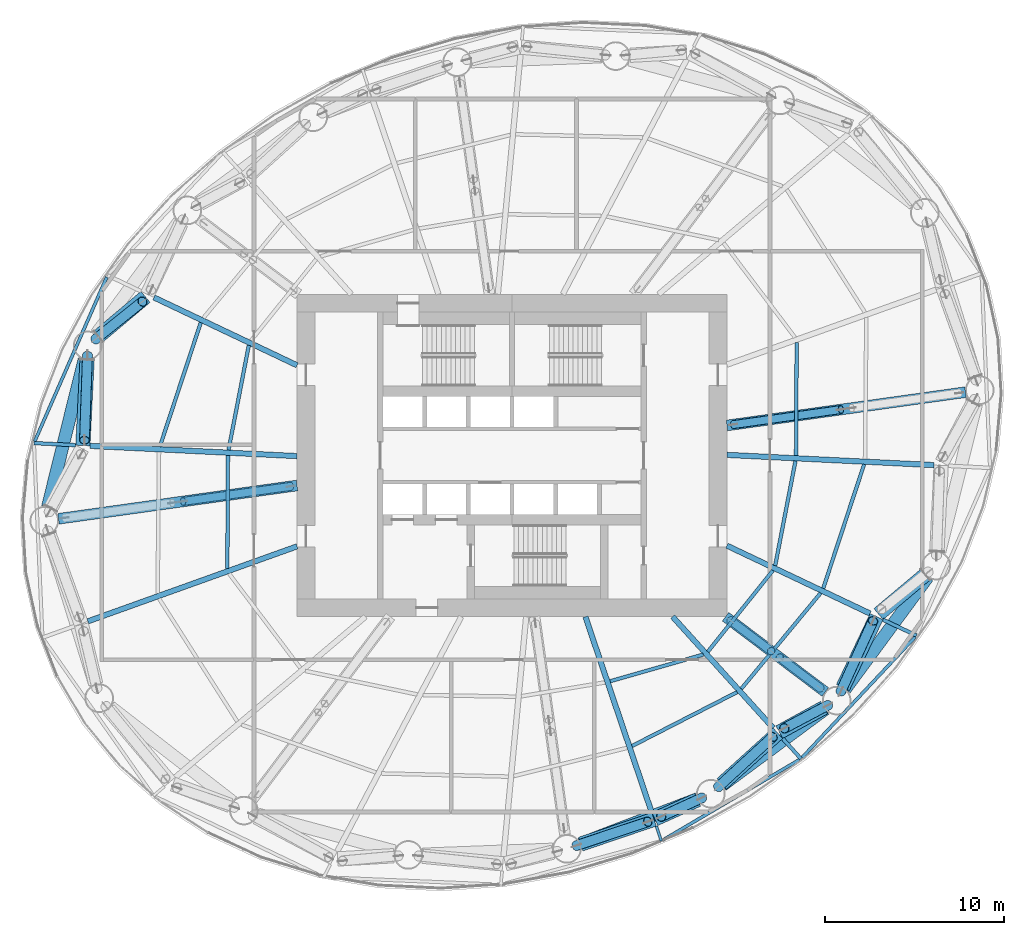
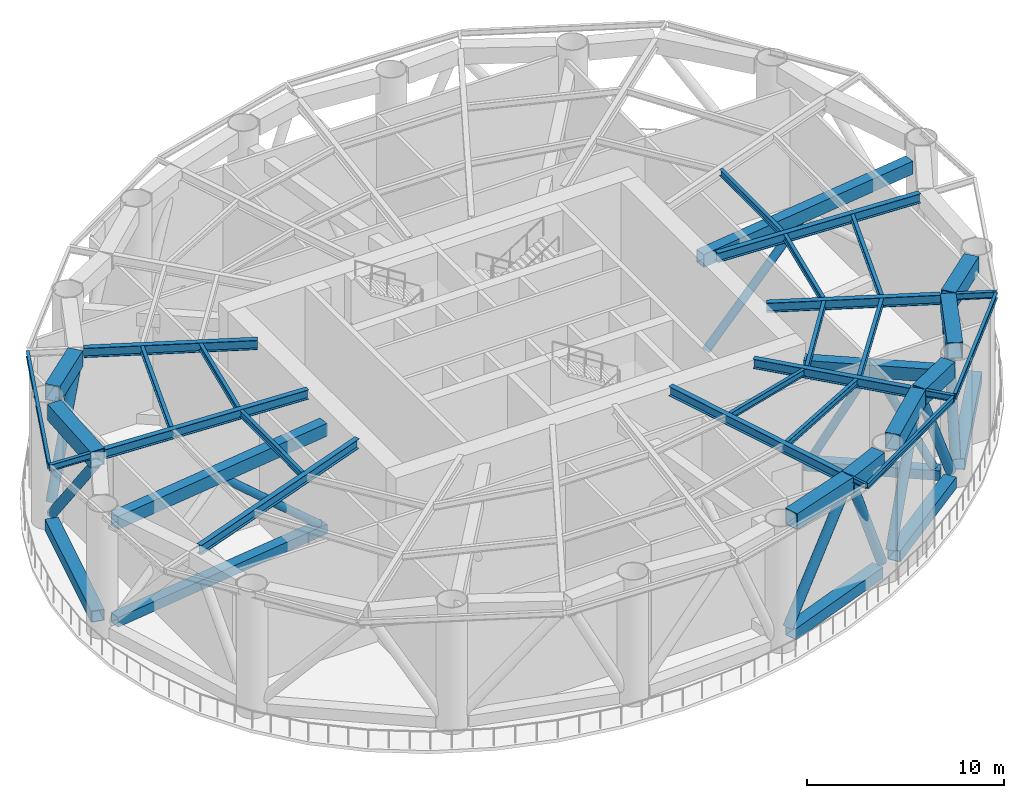
# One storey, part 2 of 15: 28 members, 24 beams.
"""IFC4 building model written with IfcOpenShell, lengths in metres."""

from ifc_helpers import new_model, si_unit, direction, frame, origin, origin_2d, place, context, subcontext, project, spatial, hollow_rectangle, hollow_circle, i_section, extrude, material, material_profile, profile_set, type_object, element, save


model = new_model("IFC4")

# Units and contexts
model_context = context("Model", 3, precision=1e-05, world=origin(), true_north=direction((0.0, 1.0)))
body_context = subcontext(model_context, "Body", "Model", "MODEL_VIEW")
ifc_project = project(units=[si_unit("LENGTHUNIT", "METRE"), si_unit("AREAUNIT", "SQUARE_METRE"), si_unit("VOLUMEUNIT", "CUBIC_METRE"), si_unit("PLANEANGLEUNIT", "RADIAN"), si_unit("MASSUNIT", "GRAM", prefix="KILO")], contexts=[model_context])

# Site, building, storey
site_placement = place(None, origin())
site = spatial("IfcSite", under=ifc_project, at=site_placement, CompositionType="ELEMENT")
building_placement = place(site_placement, origin())
building = spatial("IfcBuilding", under=site, at=building_placement, Name="Vermilion Reach Broadcast Tower", CompositionType="ELEMENT")
storey_placement = place(building_placement, frame((0.0, 0.0, 135.39990234375)))
storey = spatial("IfcBuildingStorey", under=building, at=storey_placement, Name="L32", CompositionType="ELEMENT", Elevation=135.39990234375)

# Members
ifc_material_1 = material(Name="Steel S460NL", Category="steel")
ifc_material_profile_1 = material_profile(ifc_material_1, hollow_rectangle(XDim=0.699951171875, YDim=0.699951171875, WallThickness=0.034912109375, at=origin_2d()), Name="S460NL BOX 700x700x35")
ifc_profile_set_1 = profile_set([ifc_material_profile_1], Name="Steel S460NL")
member_type_1 = type_object("IfcMemberType", Name="BT2-BC BOX 700x700x35", PredefinedType="CHORD", material=ifc_profile_set_1)
member_1_placement = place(storey_placement, frame((-29.871337890625, 5.369384765625, 0.35009765625), z_axis=(-0.240863809798, -0.970558924089, 0.0), x_axis=(0.970558924089, -0.240863809798, 0.0)))
element("IfcMember", 1, at=member_1_placement, inside=storey, type_object=member_type_1, Name="Belt truss bottom chord BT2-BC07", PredefinedType="CHORD", context=body_context, shape_type="SweptSolid", body=[
    extrude(hollow_rectangle(XDim=0.699951171875, YDim=0.699951171875, WallThickness=0.034912109375, at=origin_2d()), origin(), (0.0, 0.0, 1.0), 8.489013671875),
])
member_2_placement = place(storey_placement, frame((-2.186767578125, -21.669677734375, 0.35009765625), z_axis=(0.933939237212, 0.357431813353, 0.0), x_axis=(-0.357431813353, 0.933939237212, 0.0)))
element("IfcMember", 2, at=member_2_placement, inside=storey, type_object=member_type_1, Name="Belt truss bottom chord BT2-BC12", PredefinedType="CHORD", context=body_context, shape_type="SweptSolid", body=[
    extrude(hollow_rectangle(XDim=0.699951171875, YDim=0.699951171875, WallThickness=0.034912109375, at=origin_2d()), origin(), (0.0, 0.0, 1.0), 7.001953125),
])
member_3_placement = place(storey_placement, frame((5.74267578125, -18.4052734375, 0.35009765625), z_axis=(0.803832742218, 0.594855379515, 0.0), x_axis=(-0.594855379515, 0.803832742218, 0.0)))
element("IfcMember", 3, at=member_3_placement, inside=storey, type_object=member_type_1, Name="Belt truss bottom chord BT2-BC13", PredefinedType="CHORD", context=body_context, shape_type="SweptSolid", body=[
    extrude(hollow_rectangle(XDim=0.699951171875, YDim=0.699951171875, WallThickness=0.034912109375, at=origin_2d()), origin(), (0.0, 0.0, 1.0), 7.13916015625),
])
member_4_placement = place(storey_placement, frame((12.59912109375, -13.03857421875, 0.35009765625), z_axis=(0.593250534798, 0.80501788984, 0.0), x_axis=(-0.80501788984, 0.593250534798, 0.0)))
element("IfcMember", 4, at=member_4_placement, inside=storey, type_object=member_type_1, Name="Belt truss bottom chord BT2-BC14", PredefinedType="CHORD", context=body_context, shape_type="SweptSolid", body=[
    extrude(hollow_rectangle(XDim=0.699951171875, YDim=0.699951171875, WallThickness=0.034912109375, at=origin_2d()), origin(), (0.0, 0.0, 1.0), 7.76220703125),
])
ifc_material_2 = material(Name="Steel S355J2H", Category="steel")
ifc_material_profile_2 = material_profile(ifc_material_2, hollow_circle(Radius=0.279541015625, WallThickness=0.02490234375, at=origin_2d()), Name="S355J2H CHS 559x25")
ifc_profile_set_2 = profile_set([ifc_material_profile_2], Name="Steel S355J2H")
member_type_2 = type_object("IfcMemberType", Name="BT2-D CHS 559x25", PredefinedType="BRACE", material=ifc_profile_set_2)
member_5_placement = place(storey_placement, frame((-29.249267578125, 6.489501953125, 0.800048828125), z_axis=(0.379593901985, 0.303830533626, 0.873839502662), x_axis=(-0.624889928579, 0.780712864734, 0.0)))
element("IfcMember", 5, at=member_5_placement, inside=storey, type_object=member_type_2, Name="Belt truss diagonal BT2-D06B", PredefinedType="BRACE", context=body_context, shape_type="SweptSolid", body=[
    extrude(hollow_circle(Radius=0.279541015625, WallThickness=0.02490234375, at=origin_2d()), origin(), (0.0, 0.0, 1.0), 6.912109375),
])
member_6_placement = place(storey_placement, frame((-29.69775390625, 5.59619140625, 0.800048828125), z_axis=(-0.021515920098, -0.617510084939, 0.786268631055), x_axis=(0.999393533909, -0.034821895134, 0.0)))
element("IfcMember", 6, at=member_6_placement, inside=storey, type_object=member_type_2, Name="Belt truss diagonal BT2-D07A", PredefinedType="BRACE", context=body_context, shape_type="SweptSolid", body=[
    extrude(hollow_circle(Radius=0.279541015625, WallThickness=0.02490234375, at=origin_2d()), origin(), (0.0, 0.0, 1.0), 7.681884765625),
])
member_7_placement = place(storey_placement, frame((-2.412353515625, -21.781005859375, 0.800048828125), z_axis=(0.54205933299, 0.181670298325, 0.820467904446), x_axis=(-0.317776198984, 0.948165748885, 0.0)))
element("IfcMember", 7, at=member_7_placement, inside=storey, type_object=member_type_2, Name="Belt truss diagonal BT2-D12A", PredefinedType="BRACE", context=body_context, shape_type="SweptSolid", body=[
    extrude(hollow_circle(Radius=0.279541015625, WallThickness=0.02490234375, at=origin_2d()), origin(), (0.0, 0.0, 1.0), 7.36181640625),
])
member_8_placement = place(storey_placement, frame((4.60009765625, -19.111083984375, 0.800048828125), z_axis=(-0.347921319592, -0.160070690823, 0.92375761394), x_axis=(0.417963544669, -0.908463799679, 0.0)))
element("IfcMember", 8, at=member_8_placement, inside=storey, type_object=member_type_2, Name="Belt truss diagonal BT2-D12B", PredefinedType="BRACE", context=body_context, shape_type="SweptSolid", body=[
    extrude(hollow_circle(Radius=0.279541015625, WallThickness=0.02490234375, at=origin_2d()), origin(), (0.0, 0.0, 1.0), 6.53857421875),
])
member_9_placement = place(storey_placement, frame((5.504638671875, -18.509033203125, 0.800048828125), z_axis=(0.416752803634, 0.38275937223, 0.824507346015), x_axis=(-0.676431080932, 0.736505935312, 0.0)))
element("IfcMember", 9, at=member_9_placement, inside=storey, type_object=member_type_2, Name="Belt truss diagonal BT2-D13A", PredefinedType="BRACE", context=body_context, shape_type="SweptSolid", body=[
    extrude(hollow_circle(Radius=0.279541015625, WallThickness=0.02490234375, at=origin_2d()), origin(), (0.0, 0.0, 1.0), 7.32568359375),
])
member_10_placement = place(storey_placement, frame((11.638427734375, -13.93994140625, 0.800048828125), z_axis=(-0.36714105046, -0.194178456433, 0.909671466038), x_axis=(0.467529731574, -0.883977347048, 0.0)))
element("IfcMember", 10, at=member_10_placement, inside=storey, type_object=member_type_2, Name="Belt truss diagonal BT2-D13B", PredefinedType="BRACE", context=body_context, shape_type="SweptSolid", body=[
    extrude(hollow_circle(Radius=0.279541015625, WallThickness=0.02490234375, at=origin_2d()), origin(), (0.0, 0.0, 1.0), 6.639892578125),
])
member_11_placement = place(storey_placement, frame((12.3525390625, -13.18212890625, 0.800048828125), z_axis=(0.241814934751, 0.530935777861, 0.812177774332), x_axis=(-0.91005596533, 0.414485391741, 0.0)))
element("IfcMember", 11, at=member_11_placement, inside=storey, type_object=member_type_2, Name="Belt truss diagonal BT2-D14A", PredefinedType="BRACE", context=body_context, shape_type="SweptSolid", body=[
    extrude(hollow_circle(Radius=0.279541015625, WallThickness=0.02490234375, at=origin_2d()), origin(), (0.0, 0.0, 1.0), 7.436767578125),
])
ifc_material_3 = material(Name="Steel S460NL", Category="steel")
ifc_material_profile_3 = material_profile(ifc_material_3, hollow_rectangle(XDim=0.800048828125, YDim=1.0, WallThickness=0.0400390625, at=origin_2d()), Name="S460NL BOX 800x1000x40")
ifc_profile_set_3 = profile_set([ifc_material_profile_3], Name="Steel S460NL")
member_type_3 = type_object("IfcMemberType", Name="BT2-TC BOX 800x1000x40", PredefinedType="CHORD", material=ifc_profile_set_3)
member_12_placement = place(storey_placement, frame((-26.458740234375, 8.852294921875, 7.35009765625), z_axis=(-0.765498072992, -0.643438186811, 0.0), x_axis=(0.643438186811, -0.765498072992, 0.0)))
element("IfcMember", 12, at=member_12_placement, inside=storey, type_object=member_type_3, Name="Belt truss top chord BT2-TC12", PredefinedType="CHORD", context=body_context, shape_type="SweptSolid", body=[
    extrude(hollow_rectangle(XDim=0.800048828125, YDim=1.0, WallThickness=0.0400390625, at=origin_2d()), origin(), (0.0, 0.0, 1.0), 3.396240234375),
])
member_13_placement = place(storey_placement, frame((-29.718505859375, 5.336669921875, 7.35009765625), z_axis=(-0.049382927853, -0.998779918919, 0.0), x_axis=(0.998779918919, -0.049382927853, 0.0)))
element("IfcMember", 13, at=member_13_placement, inside=storey, type_object=member_type_3, Name="Belt truss top chord BT2-TC13", PredefinedType="CHORD", context=body_context, shape_type="SweptSolid", body=[
    extrude(hollow_rectangle(XDim=0.800048828125, YDim=1.0, WallThickness=0.0400390625, at=origin_2d()), origin(), (0.0, 0.0, 1.0), 4.78564453125),
])
member_14_placement = place(storey_placement, frame((-2.166748046875, -21.69580078125, 7.35009765625), z_axis=(0.947136273639, 0.32083154327, 0.0), x_axis=(-0.32083154327, 0.947136273639, 0.0)))
element("IfcMember", 14, at=member_14_placement, inside=storey, type_object=member_type_3, Name="Belt truss top chord BT2-TC23", PredefinedType="CHORD", context=body_context, shape_type="SweptSolid", body=[
    extrude(hollow_rectangle(XDim=0.800048828125, YDim=1.0, WallThickness=0.0400390625, at=origin_2d()), origin(), (0.0, 0.0, 1.0), 4.32373046875),
])
member_15_placement = place(storey_placement, frame((1.973876953125, -20.290771484375, 7.35009765625), z_axis=(0.911591551813, 0.411097120718, 0.0), x_axis=(-0.411097120718, 0.911591551813, 0.0)))
element("IfcMember", 15, at=member_15_placement, inside=storey, type_object=member_type_3, Name="Belt truss top chord BT2-TC24", PredefinedType="CHORD", context=body_context, shape_type="SweptSolid", body=[
    extrude(hollow_rectangle(XDim=0.800048828125, YDim=1.0, WallThickness=0.0400390625, at=origin_2d()), origin(), (0.0, 0.0, 1.0), 2.618896484375),
])
member_16_placement = place(storey_placement, frame((5.70068359375, -18.338134765625, 7.35009765625), z_axis=(0.742108197147, 0.670280108408, 0.0), x_axis=(-0.670280108408, 0.742108197147, 0.0)))
element("IfcMember", 16, at=member_16_placement, inside=storey, type_object=member_type_3, Name="Belt truss top chord BT2-TC25", PredefinedType="CHORD", context=body_context, shape_type="SweptSolid", body=[
    extrude(hollow_rectangle(XDim=0.800048828125, YDim=1.0, WallThickness=0.0400390625, at=origin_2d()), origin(), (0.0, 0.0, 1.0), 4.231689453125),
])
member_17_placement = place(storey_placement, frame((8.92431640625, -15.4423828125, 7.35009765625), z_axis=(0.87627212557, 0.481816523118, 0.0), x_axis=(-0.481816523118, 0.87627212557, 0.0)))
element("IfcMember", 17, at=member_17_placement, inside=storey, type_object=member_type_3, Name="Belt truss top chord BT2-TC26", PredefinedType="CHORD", context=body_context, shape_type="SweptSolid", body=[
    extrude(hollow_rectangle(XDim=0.800048828125, YDim=1.0, WallThickness=0.0400390625, at=origin_2d()), origin(), (0.0, 0.0, 1.0), 2.842041015625),
])
member_18_placement = place(storey_placement, frame((12.4716796875, -12.950927734375, 7.35009765625), z_axis=(0.42869740345, 0.903448137015, 0.0), x_axis=(-0.903448137015, 0.42869740345, 0.0)))
element("IfcMember", 18, at=member_18_placement, inside=storey, type_object=member_type_3, Name="Belt truss top chord BT2-TC27", PredefinedType="CHORD", context=body_context, shape_type="SweptSolid", body=[
    extrude(hollow_rectangle(XDim=0.800048828125, YDim=1.0, WallThickness=0.0400390625, at=origin_2d()), origin(), (0.0, 0.0, 1.0), 4.37890625),
])
member_19_placement = place(storey_placement, frame((14.458740234375, -8.852294921875, 7.35009765625), z_axis=(0.765498072992, 0.643438186811, 0.0), x_axis=(-0.643438186811, 0.765498072992, 0.0)))
element("IfcMember", 19, at=member_19_placement, inside=storey, type_object=member_type_3, Name="Belt truss top chord BT2-TC28", PredefinedType="CHORD", context=body_context, shape_type="SweptSolid", body=[
    extrude(hollow_rectangle(XDim=0.800048828125, YDim=1.0, WallThickness=0.0400390625, at=origin_2d()), origin(), (0.0, 0.0, 1.0), 3.396240234375),
])

# Beams
ifc_material_4 = material(Name="Steel S355J2", Category="steel")
ifc_material_profile_4 = material_profile(ifc_material_4, i_section(OverallWidth=0.175048828125, OverallDepth=0.35009765625, WebThickness=0.007080078125, FlangeThickness=0.010986328125, at=origin_2d()), Name="S355J2 HN 350x175x7x11")
ifc_profile_set_4 = profile_set([ifc_material_profile_4], Name="Steel S355J2")
beam_type_1 = type_object("IfcBeamType", Name="EB3 HN 350x175x7x11", PredefinedType="BEAM", material=ifc_profile_set_4)
beam_1_placement = place(storey_placement, frame((-28.61865234375, 9.961181640625, 7.675048828125), z_axis=(-0.401695928161, -0.915773105796, 0.0), x_axis=(0.915773105796, -0.401695928161, 0.0)))
element("IfcBeam", 20, at=beam_1_placement, inside=storey, type_object=beam_type_1, Name="Edge beam EB3-06", PredefinedType="BEAM", context=body_context, shape_type="SweptSolid", body=[
    extrude(i_section(OverallWidth=0.175048828125, OverallDepth=0.35009765625, WebThickness=0.007080078125, FlangeThickness=0.010986328125, at=origin_2d()), origin(), (0.0, 0.0, 1.0), 10.014892578125),
])
beam_2_placement = place(storey_placement, frame((2.404541015625, -21.479736328125, 7.675048828125), z_axis=(0.861579978864, 0.507621847462, 0.0), x_axis=(-0.507621847462, 0.861579978864, 0.0)))
element("IfcBeam", 21, at=beam_2_placement, inside=storey, type_object=beam_type_1, Name="Edge beam EB3-12", PredefinedType="BEAM", context=body_context, shape_type="SweptSolid", body=[
    extrude(i_section(OverallWidth=0.175048828125, OverallDepth=0.35009765625, WebThickness=0.007080078125, FlangeThickness=0.010986328125, at=origin_2d()), origin(), (0.0, 0.0, 1.0), 8.864013671875),
])
beam_3_placement = place(storey_placement, frame((10.1982421875, -16.855224609375, 7.675048828125), z_axis=(0.684107561693, 0.729381137702, 0.0), x_axis=(-0.729381137702, 0.684107561693, 0.0)))
element("IfcBeam", 22, at=beam_3_placement, inside=storey, type_object=beam_type_1, Name="Edge beam EB3-13", PredefinedType="BEAM", context=body_context, shape_type="SweptSolid", body=[
    extrude(i_section(OverallWidth=0.175048828125, OverallDepth=0.35009765625, WebThickness=0.007080078125, FlangeThickness=0.010986328125, at=origin_2d()), origin(), (0.0, 0.0, 1.0), 9.22119140625),
])
ifc_material_5 = material(Name="Steel S355J2", Category="steel")
ifc_material_profile_5 = material_profile(ifc_material_5, i_section(OverallWidth=0.300048828125, OverallDepth=0.587890625, WebThickness=0.011962890625, FlangeThickness=0.02001953125, at=origin_2d()), Name="S355J2 HM 588x300x12x20")
ifc_profile_set_5 = profile_set([ifc_material_profile_5], Name="Steel S355J2")
beam_type_2 = type_object("IfcBeamType", Name="G3 HM 588x300x12x20", PredefinedType="BEAM", material=ifc_profile_set_5)
beam_4_placement = place(storey_placement, frame((-18.0, 5.03369140625, 7.55615234375), z_axis=(-0.903460434806, 0.428671485802, 0.0), x_axis=(-0.428671485802, -0.903460434806, 0.0)))
element("IfcBeam", 23, at=beam_4_placement, inside=storey, type_object=beam_type_2, Name="Girder G3-06", PredefinedType="BEAM", context=body_context, shape_type="SweptSolid", body=[
    extrude(i_section(OverallWidth=0.300048828125, OverallDepth=0.587890625, WebThickness=0.011962890625, FlangeThickness=0.02001953125, at=origin_2d()), origin(), (0.0, 0.0, 1.0), 8.8408203125),
])
beam_5_placement = place(storey_placement, frame((-18.0, -0.033935546875, 7.55615234375), z_axis=(-0.998781166105, 0.049357696806, 0.0), x_axis=(-0.049357696806, -0.998781166105, 0.0)))
element("IfcBeam", 24, at=beam_5_placement, inside=storey, type_object=beam_type_2, Name="Girder G3-07", PredefinedType="BEAM", context=body_context, shape_type="SweptSolid", body=[
    extrude(i_section(OverallWidth=0.300048828125, OverallDepth=0.587890625, WebThickness=0.011962890625, FlangeThickness=0.02001953125, at=origin_2d()), origin(), (0.0, 0.0, 1.0), 11.569580078125),
])
beam_6_placement = place(storey_placement, frame((-18.0, -5.072509765625, 7.55615234375), z_axis=(-0.941352856271, -0.337423769154, 0.0), x_axis=(0.337423769154, -0.941352856271, 0.0)))
element("IfcBeam", 25, at=beam_6_placement, inside=storey, type_object=beam_type_2, Name="Girder G3-08", PredefinedType="BEAM", context=body_context, shape_type="SweptSolid", body=[
    extrude(i_section(OverallWidth=0.300048828125, OverallDepth=0.587890625, WebThickness=0.011962890625, FlangeThickness=0.02001953125, at=origin_2d()), origin(), (0.0, 0.0, 1.0), 12.400146484375),
])
beam_7_placement = place(storey_placement, frame((-1.90234375, -9.0, 7.55615234375), z_axis=(0.320857235747, -0.947127570219, 0.0), x_axis=(0.947127570219, 0.320857235747, 0.0)))
element("IfcBeam", 26, at=beam_7_placement, inside=storey, type_object=beam_type_2, Name="Girder G3-12", PredefinedType="BEAM", context=body_context, shape_type="SweptSolid", body=[
    extrude(i_section(OverallWidth=0.300048828125, OverallDepth=0.587890625, WebThickness=0.011962890625, FlangeThickness=0.02001953125, at=origin_2d()), origin(), (0.0, 0.0, 1.0), 11.539794921875),
])
beam_8_placement = place(storey_placement, frame((2.96826171875, -9.0, 7.55615234375), z_axis=(0.670294557499, -0.742095146317, 0.0), x_axis=(0.742095146317, 0.670294557499, 0.0)))
element("IfcBeam", 27, at=beam_8_placement, inside=storey, type_object=beam_type_2, Name="Girder G3-13", PredefinedType="BEAM", context=body_context, shape_type="SweptSolid", body=[
    extrude(i_section(OverallWidth=0.300048828125, OverallDepth=0.587890625, WebThickness=0.011962890625, FlangeThickness=0.02001953125, at=origin_2d()), origin(), (0.0, 0.0, 1.0), 8.361328125),
])
beam_9_placement = place(storey_placement, frame((6.0, -5.03369140625, 7.55615234375), z_axis=(0.903460434806, -0.428671485802, 0.0), x_axis=(0.428671485802, 0.903460434806, 0.0)))
element("IfcBeam", 28, at=beam_9_placement, inside=storey, type_object=beam_type_2, Name="Girder G3-14", PredefinedType="BEAM", context=body_context, shape_type="SweptSolid", body=[
    extrude(i_section(OverallWidth=0.300048828125, OverallDepth=0.587890625, WebThickness=0.011962890625, FlangeThickness=0.02001953125, at=origin_2d()), origin(), (0.0, 0.0, 1.0), 8.8408203125),
])
beam_10_placement = place(storey_placement, frame((6.0, 0.033935546875, 7.55615234375), z_axis=(0.998781166105, -0.049357696806, 0.0), x_axis=(0.049357696806, 0.998781166105, 0.0)))
element("IfcBeam", 29, at=beam_10_placement, inside=storey, type_object=beam_type_2, Name="Girder G3-15", PredefinedType="BEAM", context=body_context, shape_type="SweptSolid", body=[
    extrude(i_section(OverallWidth=0.300048828125, OverallDepth=0.587890625, WebThickness=0.011962890625, FlangeThickness=0.02001953125, at=origin_2d()), origin(), (0.0, 0.0, 1.0), 11.569580078125),
])
ifc_material_6 = material(Name="Steel S355J2", Category="steel")
ifc_material_profile_6 = material_profile(ifc_material_6, i_section(OverallWidth=0.199951171875, OverallDepth=0.39990234375, WebThickness=0.008056640625, FlangeThickness=0.012939453125, at=origin_2d()), Name="S355J2 HN 400x200x8x13")
ifc_profile_set_6 = profile_set([ifc_material_profile_6], Name="Steel S355J2")
beam_type_3 = type_object("IfcBeamType", Name="GC3 HN 400x200x8x13", PredefinedType="BEAM", material=ifc_profile_set_6)
beam_11_placement = place(storey_placement, frame((-30.3544921875, 0.57666015625, 7.650146484375), z_axis=(-0.998779332505, 0.049394786771, 0.0), x_axis=(-0.049394786771, -0.998779332505, 0.0)))
element("IfcBeam", 30, at=beam_11_placement, inside=storey, type_object=beam_type_3, Name="Cantilever girder GC3-07", PredefinedType="BEAM", context=body_context, shape_type="SweptSolid", body=[
    extrude(i_section(OverallWidth=0.199951171875, OverallDepth=0.39990234375, WebThickness=0.008056640625, FlangeThickness=0.012939453125, at=origin_2d()), origin(), (0.0, 0.0, 1.0), 2.3330078125),
])
beam_12_placement = place(storey_placement, frame((9.109130859375, -15.798583984375, 7.650146484375), z_axis=(0.670186537574, -0.742192700621, 0.0), x_axis=(0.742192700621, 0.670186537574, 0.0)))
element("IfcBeam", 31, at=beam_12_placement, inside=storey, type_object=beam_type_3, Name="Cantilever girder GC3-13", PredefinedType="BEAM", context=body_context, shape_type="SweptSolid", body=[
    extrude(i_section(OverallWidth=0.199951171875, OverallDepth=0.39990234375, WebThickness=0.008056640625, FlangeThickness=0.012939453125, at=origin_2d()), origin(), (0.0, 0.0, 1.0), 1.5224609375),
])
beam_13_placement = place(storey_placement, frame((14.710205078125, -9.166259765625, 7.650146484375), z_axis=(0.90344673729, -0.428700353254, 0.0), x_axis=(0.428700353254, 0.90344673729, 0.0)))
element("IfcBeam", 32, at=beam_13_placement, inside=storey, type_object=beam_type_3, Name="Cantilever girder GC3-14", PredefinedType="BEAM", context=body_context, shape_type="SweptSolid", body=[
    extrude(i_section(OverallWidth=0.199951171875, OverallDepth=0.39990234375, WebThickness=0.008056640625, FlangeThickness=0.012939453125, at=origin_2d()), origin(), (0.0, 0.0, 1.0), 2.06787109375),
])
ifc_material_7 = material(Name="Steel S355J2", Category="steel")
ifc_material_profile_7 = material_profile(ifc_material_7, i_section(OverallWidth=0.14990234375, OverallDepth=0.300048828125, WebThickness=0.006591796875, FlangeThickness=0.009033203125, at=origin_2d()), Name="S355J2 HN 300x150x6.5x9")
ifc_profile_set_7 = profile_set([ifc_material_profile_7], Name="Steel S355J2")
beam_type_4 = type_object("IfcBeamType", Name="GS3 HN 300x150x6.5x9", PredefinedType="BEAM", material=ifc_profile_set_7)
beam_14_placement = place(storey_placement, frame((2.056884765625, -20.6875, 7.7001953125), z_axis=(0.320730560097, -0.947170474529, 0.0), x_axis=(0.947170474529, 0.320730560097, 0.0)))
element("IfcBeam", 33, at=beam_14_placement, inside=storey, type_object=beam_type_4, Name="Cantilever stub GS3-12", PredefinedType="BEAM", context=body_context, shape_type="SweptSolid", body=[
    extrude(i_section(OverallWidth=0.14990234375, OverallDepth=0.300048828125, WebThickness=0.006591796875, FlangeThickness=0.009033203125, at=origin_2d()), origin(), (0.0, 0.0, 1.0), 0.877685546875),
])

# Members
ifc_material_8 = material(Name="Steel S460NL", Category="steel")
ifc_material_profile_8 = material_profile(ifc_material_8, hollow_rectangle(XDim=0.60009765625, YDim=0.60009765625, WallThickness=0.030029296875, at=origin_2d()), Name="S460NL BOX 600x600x30")
ifc_profile_set_8 = profile_set([ifc_material_profile_8], Name="Steel S460NL")
member_type_4 = type_object("IfcMemberType", Name="OR2-BC BOX 600x600x30", PredefinedType="CHORD", material=ifc_profile_set_8)
member_20_placement = place(storey_placement, frame((-18.0, -1.67578125, 0.300048828125), z_axis=(-0.990389457618, -0.138306623986, 0.0), x_axis=(0.138306623986, -0.990389457618, 0.0)))
element("IfcMember", 34, at=member_20_placement, inside=storey, type_object=member_type_4, Name="Outrigger bottom chord OR2-08", PredefinedType="CHORD", context=body_context, shape_type="SweptSolid", body=[
    extrude(hollow_rectangle(XDim=0.60009765625, YDim=0.60009765625, WallThickness=0.030029296875, at=origin_2d()), origin(), (0.0, 0.0, 1.0), 13.445556640625),
])
member_21_placement = place(storey_placement, frame((5.921630859375, -9.0, 0.300048828125), z_axis=(0.798113534072, -0.602507084382, 0.0), x_axis=(0.602507084382, 0.798113534072, 0.0)))
element("IfcMember", 35, at=member_21_placement, inside=storey, type_object=member_type_4, Name="Outrigger bottom chord OR2-14", PredefinedType="CHORD", context=body_context, shape_type="SweptSolid", body=[
    extrude(hollow_rectangle(XDim=0.60009765625, YDim=0.60009765625, WallThickness=0.030029296875, at=origin_2d()), origin(), (0.0, 0.0, 1.0), 6.971923828125),
])
ifc_material_9 = material(Name="Steel S355J2H", Category="steel")
ifc_material_profile_9 = material_profile(ifc_material_9, hollow_circle(Radius=0.228515625, WallThickness=0.02001953125, at=origin_2d()), Name="S355J2H CHS 457x20")
ifc_profile_set_9 = profile_set([ifc_material_profile_9], Name="Steel S355J2H")
member_type_5 = type_object("IfcMemberType", Name="OR2-D CHS 457x20", PredefinedType="BRACE", material=ifc_profile_set_9)
member_22_placement = place(storey_placement, frame((-18.3466796875, -1.72412109375, 0.60009765625), z_axis=(-0.737086059212, -0.10295567809, 0.667910375473), x_axis=(0.138336344249, -0.990385306767, 0.0)))
element("IfcMember", 36, at=member_22_placement, inside=storey, type_object=member_type_5, Name="Outrigger diagonal OR2-08-DA", PredefinedType="BRACE", context=body_context, shape_type="SweptSolid", body=[
    extrude(hollow_circle(Radius=0.228515625, WallThickness=0.02001953125, at=origin_2d()), origin(), (0.0, 0.0, 1.0), 8.15966796875),
])
member_23_placement = place(storey_placement, frame((6.201171875, -9.2109375, 0.60009765625), z_axis=(0.368380980712, -0.278133601295, 0.887094782355), x_axis=(0.602559025616, 0.798074320254, 0.0)))
element("IfcMember", 37, at=member_23_placement, inside=storey, type_object=member_type_5, Name="Outrigger diagonal OR2-14-DA", PredefinedType="BRACE", context=body_context, shape_type="SweptSolid", body=[
    extrude(hollow_circle(Radius=0.228515625, WallThickness=0.02001953125, at=origin_2d()), origin(), (0.0, 0.0, 1.0), 6.1435546875),
])
member_24_placement = place(storey_placement, frame((11.206787109375, -12.98974609375, 0.60009765625), z_axis=(-0.368415326237, 0.278129529536, 0.887081795662), x_axis=(-0.602517627059, -0.798105575149, 0.0)))
element("IfcMember", 38, at=member_24_placement, inside=storey, type_object=member_type_5, Name="Outrigger diagonal OR2-14-DB", PredefinedType="BRACE", context=body_context, shape_type="SweptSolid", body=[
    extrude(hollow_circle(Radius=0.228515625, WallThickness=0.02001953125, at=origin_2d()), origin(), (0.0, 0.0, 1.0), 6.143798828125),
])
member_25_placement = place(storey_placement, frame((6.3466796875, 1.72412109375, 0.60009765625), z_axis=(0.737086059212, 0.10295567809, 0.667910375473), x_axis=(-0.138336344249, 0.990385306767, 0.0)))
element("IfcMember", 39, at=member_25_placement, inside=storey, type_object=member_type_5, Name="Outrigger diagonal OR2-16-DA", PredefinedType="BRACE", context=body_context, shape_type="SweptSolid", body=[
    extrude(hollow_circle(Radius=0.228515625, WallThickness=0.02001953125, at=origin_2d()), origin(), (0.0, 0.0, 1.0), 8.15966796875),
])
ifc_material_10 = material(Name="Steel S460NL", Category="steel")
ifc_material_profile_10 = material_profile(ifc_material_10, hollow_rectangle(XDim=0.60009765625, YDim=0.800048828125, WallThickness=0.030029296875, at=origin_2d()), Name="S460NL BOX 600x800x30")
ifc_profile_set_10 = profile_set([ifc_material_profile_10], Name="Steel S460NL")
member_type_6 = type_object("IfcMemberType", Name="OR2-TC BOX 600x800x30", PredefinedType="CHORD", material=ifc_profile_set_10)
member_26_placement = place(storey_placement, frame((-18.0, -1.67578125, 6.4501953125), z_axis=(-0.990389457618, -0.138306623986, 0.0), x_axis=(0.138306623986, -0.990389457618, 0.0)))
element("IfcMember", 40, at=member_26_placement, inside=storey, type_object=member_type_6, Name="Outrigger top chord OR2-08", PredefinedType="CHORD", context=body_context, shape_type="SweptSolid", body=[
    extrude(hollow_rectangle(XDim=0.60009765625, YDim=0.800048828125, WallThickness=0.030029296875, at=origin_2d()), origin(), (0.0, 0.0, 1.0), 13.445556640625),
])
member_27_placement = place(storey_placement, frame((5.921630859375, -9.0, 6.4501953125), z_axis=(0.798113534072, -0.602507084382, 0.0), x_axis=(0.602507084382, 0.798113534072, 0.0)))
element("IfcMember", 41, at=member_27_placement, inside=storey, type_object=member_type_6, Name="Outrigger top chord OR2-14", PredefinedType="CHORD", context=body_context, shape_type="SweptSolid", body=[
    extrude(hollow_rectangle(XDim=0.60009765625, YDim=0.800048828125, WallThickness=0.030029296875, at=origin_2d()), origin(), (0.0, 0.0, 1.0), 6.971923828125),
])
member_28_placement = place(storey_placement, frame((6.0, 1.67578125, 6.4501953125), z_axis=(0.990389457618, 0.138306623986, 0.0), x_axis=(-0.138306623986, 0.990389457618, 0.0)))
element("IfcMember", 42, at=member_28_placement, inside=storey, type_object=member_type_6, Name="Outrigger top chord OR2-16", PredefinedType="CHORD", context=body_context, shape_type="SweptSolid", body=[
    extrude(hollow_rectangle(XDim=0.60009765625, YDim=0.800048828125, WallThickness=0.030029296875, at=origin_2d()), origin(), (0.0, 0.0, 1.0), 13.445556640625),
])

# Beams
ifc_material_11 = material(Name="Steel S355J2", Category="steel")
ifc_material_profile_11 = material_profile(ifc_material_11, i_section(OverallWidth=0.199951171875, OverallDepth=0.39990234375, WebThickness=0.008056640625, FlangeThickness=0.012939453125, at=origin_2d()), Name="S355J2 HN 400x200x8x13")
ifc_profile_set_11 = profile_set([ifc_material_profile_11], Name="Steel S355J2")
beam_type_5 = type_object("IfcBeamType", Name="SB3 HN 400x200x8x13", PredefinedType="BEAM", material=ifc_profile_set_11)
beam_15_placement = place(storey_placement, frame((-20.69189453125, 6.144775390625, 7.650146484375), z_axis=(-0.190161012693, -0.981752916599, 0.0), x_axis=(0.981752916599, -0.190161012693, 0.0)))
element("IfcBeam", 43, at=beam_15_placement, inside=storey, type_object=beam_type_5, Name="Secondary beam SB3-06-1", PredefinedType="BEAM", context=body_context, shape_type="SweptSolid", body=[
    extrude(i_section(OverallWidth=0.199951171875, OverallDepth=0.39990234375, WebThickness=0.008056640625, FlangeThickness=0.012939453125, at=origin_2d()), origin(), (0.0, 0.0, 1.0), 5.9482421875),
])
beam_16_placement = place(storey_placement, frame((-23.372314453125, 7.41650390625, 7.650146484375), z_axis=(-0.313161162583, -0.949699998026, 0.0), x_axis=(0.949699998026, -0.313161162583, 0.0)))
element("IfcBeam", 44, at=beam_16_placement, inside=storey, type_object=beam_type_5, Name="Secondary beam SB3-06-2", PredefinedType="BEAM", context=body_context, shape_type="SweptSolid", body=[
    extrude(i_section(OverallWidth=0.199951171875, OverallDepth=0.39990234375, WebThickness=0.008056640625, FlangeThickness=0.012939453125, at=origin_2d()), origin(), (0.0, 0.0, 1.0), 7.28857421875),
])
beam_17_placement = place(storey_placement, frame((-21.852783203125, 0.00634765625, 7.650146484375), z_axis=(-0.005877247498, -0.999982728832, 0.0), x_axis=(0.999982728832, -0.005877247498, 0.0)))
element("IfcBeam", 45, at=beam_17_placement, inside=storey, type_object=beam_type_5, Name="Secondary beam SB3-07-1", PredefinedType="BEAM", context=body_context, shape_type="SweptSolid", body=[
    extrude(i_section(OverallWidth=0.199951171875, OverallDepth=0.39990234375, WebThickness=0.008056640625, FlangeThickness=0.012939453125, at=origin_2d()), origin(), (0.0, 0.0, 1.0), 6.31396484375),
])
beam_18_placement = place(storey_placement, frame((-0.523681640625, -12.601806640625, 7.650146484375), z_axis=(0.961426785893, 0.275060966636, 0.0), x_axis=(-0.275060966636, 0.961426785893, 0.0)))
element("IfcBeam", 46, at=beam_18_placement, inside=storey, type_object=beam_type_5, Name="Secondary beam SB3-12-1", PredefinedType="BEAM", context=body_context, shape_type="SweptSolid", body=[
    extrude(i_section(OverallWidth=0.199951171875, OverallDepth=0.39990234375, WebThickness=0.008056640625, FlangeThickness=0.012939453125, at=origin_2d()), origin(), (0.0, 0.0, 1.0), 5.407958984375),
])
beam_19_placement = place(storey_placement, frame((0.700927734375, -16.21728515625, 7.650146484375), z_axis=(0.889712572087, 0.456521126642, 0.0), x_axis=(-0.456521126642, 0.889712572087, 0.0)))
element("IfcBeam", 47, at=beam_19_placement, inside=storey, type_object=beam_type_5, Name="Secondary beam SB3-12-2", PredefinedType="BEAM", context=body_context, shape_type="SweptSolid", body=[
    extrude(i_section(OverallWidth=0.199951171875, OverallDepth=0.39990234375, WebThickness=0.008056640625, FlangeThickness=0.012939453125, at=origin_2d()), origin(), (0.0, 0.0, 1.0), 6.5927734375),
])
beam_20_placement = place(storey_placement, frame((4.931640625, -10.94970703125, 7.650146484375), z_axis=(0.625545374114, 0.780187788244, 0.0), x_axis=(-0.780187788244, 0.625545374114, 0.0)))
element("IfcBeam", 48, at=beam_20_placement, inside=storey, type_object=beam_type_5, Name="Secondary beam SB3-13-1", PredefinedType="BEAM", context=body_context, shape_type="SweptSolid", body=[
    extrude(i_section(OverallWidth=0.199951171875, OverallDepth=0.39990234375, WebThickness=0.008056640625, FlangeThickness=0.012939453125, at=origin_2d()), origin(), (0.0, 0.0, 1.0), 5.809814453125),
])
beam_21_placement = place(storey_placement, frame((6.80126953125, -13.02001953125, 7.650146484375), z_axis=(0.638000571254, 0.770035889475, 0.0), x_axis=(-0.770035889475, 0.638000571254, 0.0)))
element("IfcBeam", 49, at=beam_21_placement, inside=storey, type_object=beam_type_5, Name="Secondary beam SB3-13-2", PredefinedType="BEAM", context=body_context, shape_type="SweptSolid", body=[
    extrude(i_section(OverallWidth=0.199951171875, OverallDepth=0.39990234375, WebThickness=0.008056640625, FlangeThickness=0.012939453125, at=origin_2d()), origin(), (0.0, 0.0, 1.0), 6.935791015625),
])
beam_22_placement = place(storey_placement, frame((8.69189453125, -6.144775390625, 7.650146484375), z_axis=(0.190161012693, 0.981752916599, 0.0), x_axis=(-0.981752916599, 0.190161012693, 0.0)))
element("IfcBeam", 50, at=beam_22_placement, inside=storey, type_object=beam_type_5, Name="Secondary beam SB3-14-1", PredefinedType="BEAM", context=body_context, shape_type="SweptSolid", body=[
    extrude(i_section(OverallWidth=0.199951171875, OverallDepth=0.39990234375, WebThickness=0.008056640625, FlangeThickness=0.012939453125, at=origin_2d()), origin(), (0.0, 0.0, 1.0), 5.9482421875),
])
beam_23_placement = place(storey_placement, frame((11.372314453125, -7.41650390625, 7.650146484375), z_axis=(0.313161162583, 0.949699998026, 0.0), x_axis=(-0.949699998026, 0.313161162583, 0.0)))
element("IfcBeam", 51, at=beam_23_placement, inside=storey, type_object=beam_type_5, Name="Secondary beam SB3-14-2", PredefinedType="BEAM", context=body_context, shape_type="SweptSolid", body=[
    extrude(i_section(OverallWidth=0.199951171875, OverallDepth=0.39990234375, WebThickness=0.008056640625, FlangeThickness=0.012939453125, at=origin_2d()), origin(), (0.0, 0.0, 1.0), 7.28857421875),
])
beam_24_placement = place(storey_placement, frame((9.852783203125, -0.00634765625, 7.650146484375), z_axis=(0.005877247498, 0.999982728832, 0.0), x_axis=(-0.999982728832, 0.005877247498, 0.0)))
element("IfcBeam", 52, at=beam_24_placement, inside=storey, type_object=beam_type_5, Name="Secondary beam SB3-15-1", PredefinedType="BEAM", context=body_context, shape_type="SweptSolid", body=[
    extrude(i_section(OverallWidth=0.199951171875, OverallDepth=0.39990234375, WebThickness=0.008056640625, FlangeThickness=0.012939453125, at=origin_2d()), origin(), (0.0, 0.0, 1.0), 6.31396484375),
])

save(model, "model.ifc")
